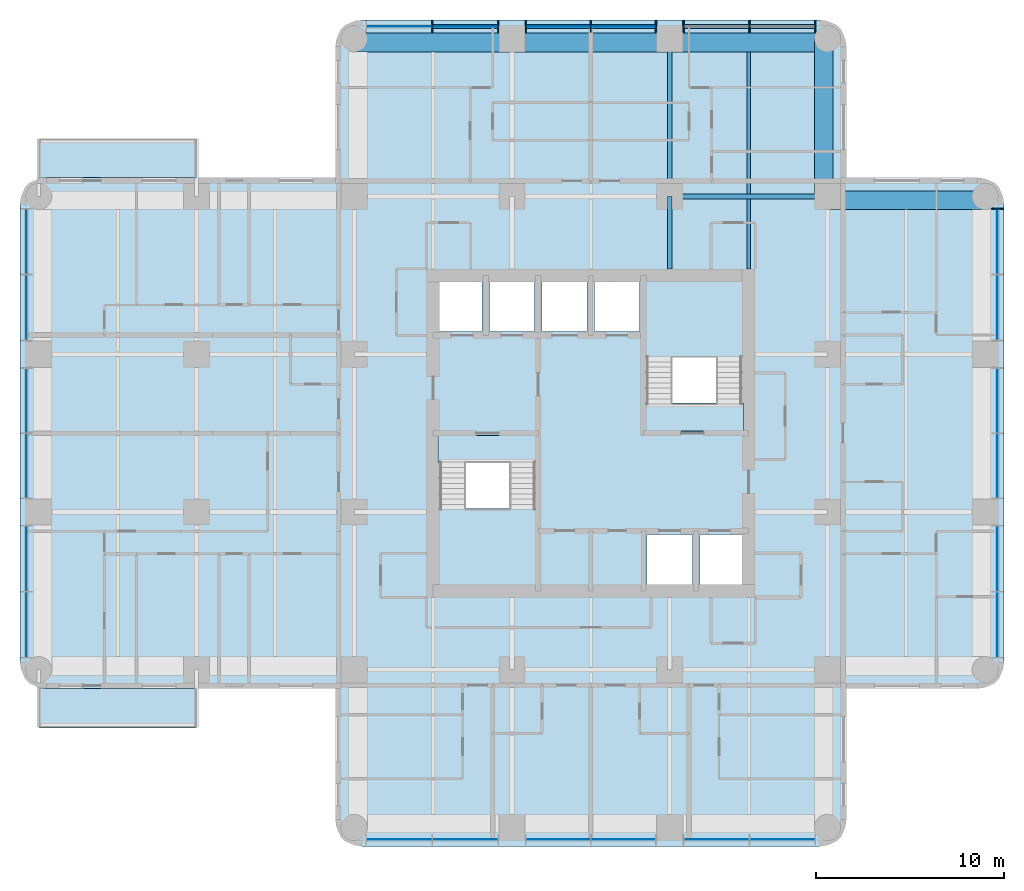
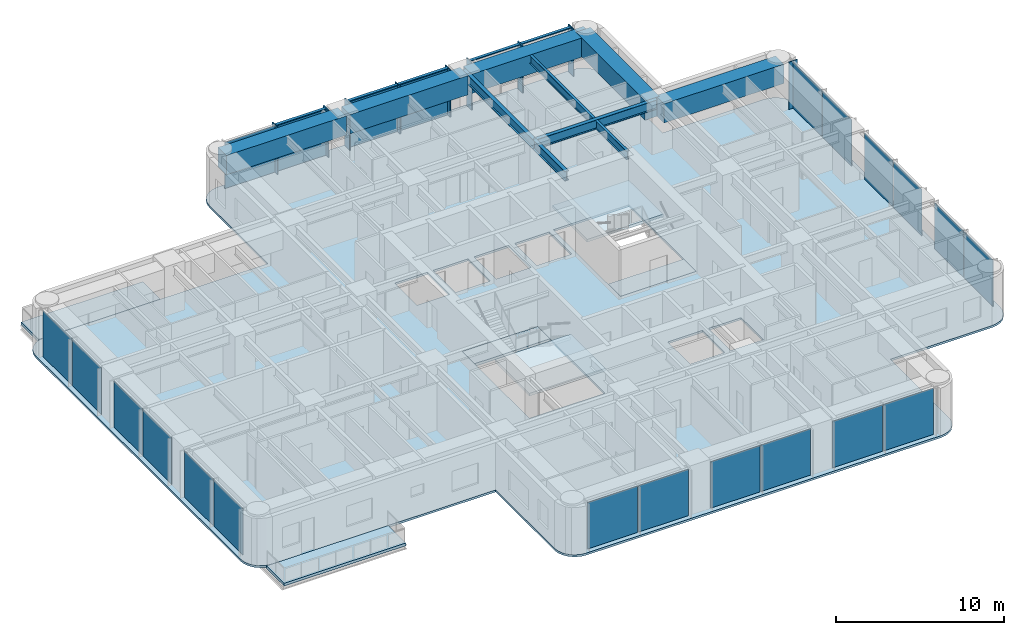
# One storey, part 3 of 11: 22 plates, 14 members, 10 beams, 7 slabs, 6 elements without a shape of their own.
"""IFC4 building model written with IfcOpenShell, lengths in metres."""

import ifcopenshell
import ifcopenshell.guid

model = None  # the IFC model being written
_history = None  # IfcOwnerHistory: only IFC2X3 demands one
_inside = {}  # id of a spatial element -> (the spatial element, [elements in it])
_under = {}  # id of a project, library or spatial element -> (it, [spatial elements below it])
_declared = {}  # id of a project -> (the project, [libraries it declares])
_typed = {}  # id of a type object -> (the type object, [elements of that type])
_made_of = {}  # id of a material, layer set ... -> (it, [elements and type objects made of it])


def new_model(schema):
    """Start an empty IFC model of exactly this schema.

    Asked for "IFC4X3", IfcOpenShell would pick the latest addendum, in which some entities
    have other attributes; the version numbers below select the first issue.
    IFC2X3 requires an IfcOwnerHistory on every rooted entity: one is made here for all.
    """
    global model, _history
    if schema == "IFC4X3":
        model = ifcopenshell.file(schema_version=(4, 3, 0, 0))
    else:
        model = ifcopenshell.file(schema=schema)
    _inside.clear()
    _under.clear()
    _declared.clear()
    _typed.clear()
    _made_of.clear()
    _history = None
    if model.schema == "IFC2X3":
        org = make("IfcOrganization", Name="unknown")
        user = make(
            "IfcPersonAndOrganization",
            ThePerson=make("IfcPerson", FamilyName="unknown"),
            TheOrganization=org,
        )
        app = make(
            "IfcApplication",
            ApplicationDeveloper=org,
            Version="unknown",
            ApplicationFullName="unknown",
            ApplicationIdentifier="unknown",
        )
        _history = make(
            "IfcOwnerHistory",
            OwningUser=user,
            OwningApplication=app,
            ChangeAction="ADDED",
            CreationDate=0,
        )
    return model


def make(cls, **values):
    """One entity of the class cls with the attributes given. An attribute that is None is left unset."""
    return model.create_entity(
        cls, **{name: value for name, value in values.items() if value is not None}
    )


def rooted(cls, **values):
    """An entity with a GlobalId (a new one), such as an element, a storey or a relation."""
    return make(cls, GlobalId=ifcopenshell.guid.new(), OwnerHistory=_history, **values)


def si_unit(unit_type, name, prefix=None):
    """IfcSIUnit, for example si_unit("LENGTHUNIT", "METRE", prefix="MILLI")."""
    return make("IfcSIUnit", UnitType=unit_type, Prefix=prefix, Name=name)


def assignment(units):
    """IfcUnitAssignment: the units of a project."""
    return None if units is None else make("IfcUnitAssignment", Units=units)


def point(xyz):
    """IfcCartesianPoint."""
    return None if xyz is None else make("IfcCartesianPoint", Coordinates=xyz)


def direction(xyz):
    """IfcDirection."""
    return None if xyz is None else make("IfcDirection", DirectionRatios=xyz)


def frame(location, z_axis=None, x_axis=None):
    """IfcAxis2Placement3D, a coordinate frame: its origin and axes. An axis left out is left unset."""
    return make(
        "IfcAxis2Placement3D",
        Location=point(location),
        Axis=direction(z_axis),
        RefDirection=direction(x_axis),
    )


def frame_2d(location, x_axis=None):
    """IfcAxis2Placement2D, a coordinate frame in the plane: its origin and x axis."""
    return make(
        "IfcAxis2Placement2D", Location=point(location), RefDirection=direction(x_axis)
    )


def origin():
    """The frame at (0, 0, 0) with its axes left unset."""
    return frame((0.0, 0.0, 0.0))


def origin_2d():
    """The frame at (0, 0) in the plane with its x axis left unset."""
    return frame_2d((0.0, 0.0))


def place(relative_to, where):
    """IfcLocalPlacement: puts the frame where relative to a parent placement (None: the world)."""
    return make(
        "IfcLocalPlacement", PlacementRelTo=relative_to, RelativePlacement=where
    )


def context(
    kind, dimensions, precision=None, world=None, true_north=None, identifier=None
):
    """IfcGeometricRepresentationContext, for example the 3D "Model" context."""
    return make(
        "IfcGeometricRepresentationContext",
        ContextIdentifier=identifier,
        ContextType=kind,
        CoordinateSpaceDimension=dimensions,
        Precision=precision,
        WorldCoordinateSystem=world,
        TrueNorth=true_north,
    )


def subcontext(parent, identifier, kind, view, scale=None):
    """IfcGeometricRepresentationSubContext, for example "Body" below "Model"."""
    return make(
        "IfcGeometricRepresentationSubContext",
        ContextIdentifier=identifier,
        ContextType=kind,
        ParentContext=parent,
        TargetScale=scale,
        TargetView=view,
    )


def project(units=None, contexts=None):
    """IfcProject with its units and contexts."""
    return rooted(
        "IfcProject",
        Name="project",
        RepresentationContexts=contexts,
        UnitsInContext=assignment(units),
    )


def spatial(cls, under=None, at=None, **own):
    """A site, building, storey or space (cls), placed at a placement, below another one or the project."""
    s = rooted(cls, ObjectPlacement=at, **own)
    if under is not None:
        _under.setdefault(under.id(), (under, []))[1].append(s)
    return s


def polyline(points):
    """IfcPolyline through the points."""
    return make("IfcPolyline", Points=[point(p) for p in points])


def profile(cls, at=None, kind="AREA", **sizes):
    """A parametric profile (cls). Its sizes go by their IFC names, for example OverallWidth=200.0."""
    return make(cls, ProfileType=kind, Position=at, **sizes)


def rectangle(**sizes):
    """IfcRectangleProfileDef."""
    return profile("IfcRectangleProfileDef", **sizes)


def i_section(**sizes):
    """IfcIShapeProfileDef."""
    return profile("IfcIShapeProfileDef", **sizes)


def outline(outer, holes=None, kind="AREA"):
    """IfcArbitraryClosedProfileDef: a profile drawn as a closed curve; with holes, ...WithVoids."""
    if holes is None:
        return make("IfcArbitraryClosedProfileDef", ProfileType=kind, OuterCurve=outer)
    return make(
        "IfcArbitraryProfileDefWithVoids",
        ProfileType=kind,
        OuterCurve=outer,
        InnerCurves=holes,
    )


def extrude(swept, where, along, depth):
    """IfcExtrudedAreaSolid: the profile swept, set in the frame where, extruded along a direction by depth."""
    return make(
        "IfcExtrudedAreaSolid",
        SweptArea=swept,
        Position=where,
        ExtrudedDirection=direction(along),
        Depth=depth,
    )


def shape(context_of_items, identifier, shape_type, items):
    """IfcShapeRepresentation: the items that make up one representation, for example the "Body"."""
    return make(
        "IfcShapeRepresentation",
        ContextOfItems=context_of_items,
        RepresentationIdentifier=identifier,
        RepresentationType=shape_type,
        Items=items,
    )


def material(Name=None, Category=None):
    """IfcMaterial."""
    return make("IfcMaterial", Name=Name, Category=Category)


def layer(
    of_material, thickness, ventilated=None, Name=None, Category=None, Priority=None
):
    """IfcMaterialLayer: one layer of a wall or slab, of a material (None: an air gap)."""
    return make(
        "IfcMaterialLayer",
        Material=of_material,
        LayerThickness=thickness,
        IsVentilated=ventilated,
        Name=Name,
        Category=Category,
        Priority=Priority,
    )


def layer_set(layers, Name=None):
    """IfcMaterialLayerSet."""
    return make("IfcMaterialLayerSet", MaterialLayers=layers, LayerSetName=Name)


def material_profile(
    of_material, cross_section, Name=None, Category=None, Priority=None
):
    """IfcMaterialProfile: a cross section and its material."""
    return make(
        "IfcMaterialProfile",
        Name=Name,
        Material=of_material,
        Profile=cross_section,
        Priority=Priority,
        Category=Category,
    )


def profile_set(profiles, Name=None, composite=None):
    """IfcMaterialProfileSet."""
    return make(
        "IfcMaterialProfileSet",
        Name=Name,
        MaterialProfiles=profiles,
        CompositeProfile=composite,
    )


def made_of(thing, what):
    """Note that an element or type object is made of a material, layer set ...; save() writes the relation."""
    if what is not None:
        _made_of.setdefault(what.id(), (what, []))[1].append(thing)
    return thing


def type_object(cls, material=None, **own):
    """A type object (cls), such as IfcWallType, which elements share."""
    return made_of(rooted(cls, **own), material)


def element(
    cls,
    number,
    at=None,
    inside=None,
    cuts=None,
    type_object=None,
    material=None,
    context=None,
    identifier="Body",
    shape_type=None,
    held_by="IfcProductDefinitionShape",
    body=None,
    shapes=None,
    **own,
):
    """One element of the class cls, such as IfcWall. Its Tag is "e" and its number.

    at: its placement. inside: the storey or other place that contains it. cuts: it is an
    opening in that element (IfcRelVoidsElement). A single representation is given by context,
    identifier, shape_type and body (its items); several are given by shapes. held_by: the class
    of the entity that holds the representations. save() writes the other relations.
    """
    e = rooted(cls, Tag="e%d" % number, ObjectPlacement=at, **own)
    if body is not None:
        shapes = [shape(context, identifier, shape_type, body)]
    if shapes is not None:
        e.Representation = make(held_by, Representations=shapes)
    if inside is not None:
        _inside.setdefault(inside.id(), (inside, []))[1].append(e)
    if cuts is not None:
        rooted(
            "IfcRelVoidsElement", RelatingBuildingElement=cuts, RelatedOpeningElement=e
        )
    if type_object is not None:
        _typed.setdefault(type_object.id(), (type_object, []))[1].append(e)
    return made_of(e, material)


def aggregate(whole, parts):
    """IfcRelAggregates: a whole, such as a stair, and the parts it consists of."""
    return rooted("IfcRelAggregates", RelatingObject=whole, RelatedObjects=parts)


def save(model, path):
    """Write the relations noted so far, then the file.

    IfcRelAggregates (storeys below a building ...), IfcRelContainedInSpatialStructure (elements
    in a storey), IfcRelDefinesByType, IfcRelAssociatesMaterial and IfcRelDeclares: one each for
    every whole, place, type object, material and project.
    """
    for whole, parts in _under.values():
        aggregate(whole, parts)
    for where, things in _inside.values():
        rooted(
            "IfcRelContainedInSpatialStructure",
            RelatedElements=things,
            RelatingStructure=where,
        )
    for kind, things in _typed.values():
        rooted("IfcRelDefinesByType", RelatedObjects=things, RelatingType=kind)
    for what, things in _made_of.values():
        rooted("IfcRelAssociatesMaterial", RelatedObjects=things, RelatingMaterial=what)
    for by, libraries in _declared.values():
        rooted("IfcRelDeclares", RelatingContext=by, RelatedDefinitions=libraries)
    model.write(path)


model = new_model("IFC4")

# Units and contexts
model_context = context("Model", 3, precision=1e-05, world=origin(), true_north=direction((0.0, 1.0)))
body_context = subcontext(model_context, "Body", "Model", "MODEL_VIEW")
ifc_project = project(units=[si_unit("LENGTHUNIT", "METRE"), si_unit("AREAUNIT", "SQUARE_METRE"), si_unit("VOLUMEUNIT", "CUBIC_METRE"), si_unit("PLANEANGLEUNIT", "RADIAN"), si_unit("MASSUNIT", "GRAM", prefix="KILO")], contexts=[model_context])

# Site, building, storey
site_placement = place(None, origin())
site = spatial("IfcSite", under=ifc_project, at=site_placement, CompositionType="ELEMENT")
building_placement = place(site_placement, origin())
building = spatial("IfcBuilding", under=site, at=building_placement, Name="Torre Alcanfor", CompositionType="ELEMENT")
storey_placement = place(building_placement, frame((0.0, 0.0, 237.300048828125)))
storey = spatial("IfcBuildingStorey", under=building, at=storey_placement, Name="L62", CompositionType="ELEMENT", Elevation=237.300048828125)

# Curtain wall, member
ifc_material_1 = material(Name="Aluminium and glass", Category="aluminium")
curtain_wall_type = type_object("IfcCurtainWallType", Name="CW-A unitised apartment glazing with vertical FIN", PredefinedType="NOTDEFINED", material=ifc_material_1)
curtain_wall_1_placement = place(storey_placement, origin())
curtain_wall_1 = element("IfcCurtainWall", 1, at=curtain_wall_1_placement, inside=storey, type_object=curtain_wall_type, Name="Curtain wall CW-A L62 8", PredefinedType="NOTDEFINED")
ifc_material_2 = material(Name="Bronze anodised aluminium", Category="aluminium")
ifc_material_profile_1 = material_profile(ifc_material_2, rectangle(XDim=0.60009765625, YDim=0.06494140625, at=origin_2d()), Name="CW-A mullion 65x600")
ifc_profile_set_1 = profile_set([ifc_material_profile_1], Name="Bronze anodised aluminium")
member_type_1 = type_object("IfcMemberType", Name="CW-A mullion with vertical FIN 65x600", PredefinedType="MULLION", material=ifc_profile_set_1)
member_1_placement = place(storey_placement, frame((51.050048828125, 41.35546875, 0.0), z_axis=(0.0, 0.0, 1.0), x_axis=(-1.0, 0.0, 0.0)))
member_1 = element("IfcMember", 2, at=member_1_placement, type_object=member_type_1, Name="CW-A mullion 3.3", PredefinedType="MULLION", context=body_context, shape_type="SweptSolid", body=[
    extrude(rectangle(XDim=0.60009765625, YDim=0.06494140625, at=origin_2d()), origin(), (0.0, 0.0, 1.0), 3.449951171875),
])

# Curtain wall, members
curtain_wall_2_placement = place(storey_placement, origin())
curtain_wall_2 = element("IfcCurtainWall", 3, at=curtain_wall_2_placement, inside=storey, type_object=curtain_wall_type, Name="Curtain wall CW-A L62 11", PredefinedType="NOTDEFINED")
member_2_placement = place(storey_placement, frame((41.35546875, 51.050048828125, 0.0), z_axis=(0.0, 0.0, 1.0), x_axis=(0.0, -1.0, 0.0)))
member_2 = element("IfcMember", 4, at=member_2_placement, type_object=member_type_1, Name="CW-A mullion 1.1", PredefinedType="MULLION", context=body_context, shape_type="SweptSolid", body=[
    extrude(rectangle(XDim=0.60009765625, YDim=0.06494140625, at=origin_2d()), origin(), (0.0, 0.0, 1.0), 3.449951171875),
])
member_3_placement = place(storey_placement, frame((37.846435546875, 51.050048828125, 0.0), z_axis=(0.0, 0.0, 1.0), x_axis=(0.0, -1.0, 0.0)))
member_3 = element("IfcMember", 5, at=member_3_placement, type_object=member_type_1, Name="CW-A mullion 1.2", PredefinedType="MULLION", context=body_context, shape_type="SweptSolid", body=[
    extrude(rectangle(XDim=0.60009765625, YDim=0.06494140625, at=origin_2d()), origin(), (0.0, 0.0, 1.0), 3.449951171875),
])
member_4_placement = place(storey_placement, frame((34.33740234375, 51.050048828125, 0.0), z_axis=(0.0, 0.0, 1.0), x_axis=(0.0, -1.0, 0.0)))
member_4 = element("IfcMember", 6, at=member_4_placement, type_object=member_type_1, Name="CW-A mullion 1.3", PredefinedType="MULLION", context=body_context, shape_type="SweptSolid", body=[
    extrude(rectangle(XDim=0.60009765625, YDim=0.06494140625, at=origin_2d()), origin(), (0.0, 0.0, 1.0), 3.449951171875),
])
member_5_placement = place(storey_placement, frame((32.862548828125, 51.050048828125, 0.0), z_axis=(0.0, 0.0, 1.0), x_axis=(0.0, -1.0, 0.0)))
member_5 = element("IfcMember", 7, at=member_5_placement, type_object=member_type_1, Name="CW-A mullion 2.1", PredefinedType="MULLION", context=body_context, shape_type="SweptSolid", body=[
    extrude(rectangle(XDim=0.60009765625, YDim=0.06494140625, at=origin_2d()), origin(), (0.0, 0.0, 1.0), 3.449951171875),
])
member_6_placement = place(storey_placement, frame((29.39990234375, 51.050048828125, 0.0), z_axis=(0.0, 0.0, 1.0), x_axis=(0.0, -1.0, 0.0)))
member_6 = element("IfcMember", 8, at=member_6_placement, type_object=member_type_1, Name="CW-A mullion 2.2", PredefinedType="MULLION", context=body_context, shape_type="SweptSolid", body=[
    extrude(rectangle(XDim=0.60009765625, YDim=0.06494140625, at=origin_2d()), origin(), (0.0, 0.0, 1.0), 3.449951171875),
])
member_7_placement = place(storey_placement, frame((25.9375, 51.050048828125, 0.0), z_axis=(0.0, 0.0, 1.0), x_axis=(0.0, -1.0, 0.0)))
member_7 = element("IfcMember", 9, at=member_7_placement, type_object=member_type_1, Name="CW-A mullion 2.3", PredefinedType="MULLION", context=body_context, shape_type="SweptSolid", body=[
    extrude(rectangle(XDim=0.60009765625, YDim=0.06494140625, at=origin_2d()), origin(), (0.0, 0.0, 1.0), 3.449951171875),
])
member_8_placement = place(storey_placement, frame((24.46240234375, 51.050048828125, 0.0), z_axis=(0.0, 0.0, 1.0), x_axis=(0.0, -1.0, 0.0)))
member_8 = element("IfcMember", 10, at=member_8_placement, type_object=member_type_1, Name="CW-A mullion 3.1", PredefinedType="MULLION", context=body_context, shape_type="SweptSolid", body=[
    extrude(rectangle(XDim=0.60009765625, YDim=0.06494140625, at=origin_2d()), origin(), (0.0, 0.0, 1.0), 3.449951171875),
])
member_9_placement = place(storey_placement, frame((20.95361328125, 51.050048828125, 0.0), z_axis=(0.0, 0.0, 1.0), x_axis=(0.0, -1.0, 0.0)))
member_9 = element("IfcMember", 11, at=member_9_placement, type_object=member_type_1, Name="CW-A mullion 3.2", PredefinedType="MULLION", context=body_context, shape_type="SweptSolid", body=[
    extrude(rectangle(XDim=0.60009765625, YDim=0.06494140625, at=origin_2d()), origin(), (0.0, 0.0, 1.0), 3.449951171875),
])
ifc_material_3 = material(Name="Extruded aluminium", Category="aluminium")
ifc_material_profile_2 = material_profile(ifc_material_3, rectangle(XDim=0.199951171875, YDim=0.06494140625, at=origin_2d()), Name="CW-A transom 200x65")
ifc_profile_set_2 = profile_set([ifc_material_profile_2], Name="Extruded aluminium")
member_type_2 = type_object("IfcMemberType", Name="CW-A transom 65x200", PredefinedType="USERDEFINED", material=ifc_profile_set_2)
member_10_placement = place(storey_placement, frame((41.322998046875, 51.050048828125, 3.41748046875), z_axis=(-1.0, 0.0, 0.0), x_axis=(0.0, -1.0, 0.0)))
member_10 = element("IfcMember", 12, at=member_10_placement, type_object=member_type_2, Name="CW-A transom 1.1.2", ObjectType="TRANSOM", PredefinedType="USERDEFINED", context=body_context, shape_type="SweptSolid", body=[
    extrude(rectangle(XDim=0.199951171875, YDim=0.06494140625, at=origin_2d()), origin(), (0.0, 0.0, 1.0), 3.444091796875),
])
member_11_placement = place(storey_placement, frame((37.81396484375, 51.050048828125, 3.41748046875), z_axis=(-1.0, 0.0, 0.0), x_axis=(0.0, -1.0, 0.0)))
member_11 = element("IfcMember", 13, at=member_11_placement, type_object=member_type_2, Name="CW-A transom 1.2.2", ObjectType="TRANSOM", PredefinedType="USERDEFINED", context=body_context, shape_type="SweptSolid", body=[
    extrude(rectangle(XDim=0.199951171875, YDim=0.06494140625, at=origin_2d()), origin(), (0.0, 0.0, 1.0), 3.44384765625),
])
member_12_placement = place(storey_placement, frame((32.830078125, 51.050048828125, 3.41748046875), z_axis=(-1.0, 0.0, 0.0), x_axis=(0.0, -1.0, 0.0)))
member_12 = element("IfcMember", 14, at=member_12_placement, type_object=member_type_2, Name="CW-A transom 2.1.2", ObjectType="TRANSOM", PredefinedType="USERDEFINED", context=body_context, shape_type="SweptSolid", body=[
    extrude(rectangle(XDim=0.199951171875, YDim=0.06494140625, at=origin_2d()), origin(), (0.0, 0.0, 1.0), 3.3974609375),
])
member_13_placement = place(storey_placement, frame((29.367431640625, 51.050048828125, 3.41748046875), z_axis=(-1.0, 0.0, 0.0), x_axis=(0.0, -1.0, 0.0)))
member_13 = element("IfcMember", 15, at=member_13_placement, type_object=member_type_2, Name="CW-A transom 2.2.2", ObjectType="TRANSOM", PredefinedType="USERDEFINED", context=body_context, shape_type="SweptSolid", body=[
    extrude(rectangle(XDim=0.199951171875, YDim=0.06494140625, at=origin_2d()), origin(), (0.0, 0.0, 1.0), 3.3974609375),
])
member_14_placement = place(storey_placement, frame((24.429931640625, 51.050048828125, 3.41748046875), z_axis=(-1.0, 0.0, 0.0), x_axis=(0.0, -1.0, 0.0)))
member_14 = element("IfcMember", 16, at=member_14_placement, type_object=member_type_2, Name="CW-A transom 3.1.2", ObjectType="TRANSOM", PredefinedType="USERDEFINED", context=body_context, shape_type="SweptSolid", body=[
    extrude(rectangle(XDim=0.199951171875, YDim=0.06494140625, at=origin_2d()), origin(), (0.0, 0.0, 1.0), 3.44384765625),
])

# Beams
ifc_material_4 = material(Name="Steel ASTM A992 Grade 50", Category="steel")
ifc_material_profile_3 = material_profile(ifc_material_4, i_section(OverallWidth=0.25390625, OverallDepth=0.683349609375, WebThickness=0.012451171875, FlangeThickness=0.01904296875, at=origin_2d()), Name="W27x94")
ifc_profile_set_3 = profile_set([ifc_material_profile_3], Name="Steel ASTM A992 Grade 50")
beam_type_1 = type_object("IfcBeamType", Name="Girder W27x94", PredefinedType="BEAM", material=ifc_profile_set_3)
for number, where, z_axis, x_axis, name in (
    (17, (33.60009765625, 42.0, 3.1083984375), (1.0, 0.0, 0.0), (0.0, 1.0, 0.0), "Beam 5H-6H under L63"),
    (18, (33.60009765625, 42.0, 3.1083984375), (0.0, 1.0, 0.0), (-1.0, 0.0, 0.0), "Beam 5H-5J under L63"),
):
    element("IfcBeam", number, at=place(storey_placement, frame(where, z_axis=z_axis, x_axis=x_axis)), inside=storey, type_object=beam_type_1, Name=name, PredefinedType="BEAM", context=body_context, shape_type="SweptSolid", body=[
        extrude(i_section(OverallWidth=0.25390625, OverallDepth=0.683349609375, WebThickness=0.012451171875, FlangeThickness=0.01904296875, at=origin_2d()), origin(), (0.0, 0.0, 1.0), 8.39990234375),
    ])
ifc_material_5 = material(Name="Steel ASTM A992 Grade 50", Category="steel")
ifc_material_profile_4 = material_profile(ifc_material_5, i_section(OverallWidth=0.25390625, OverallDepth=0.683349609375, WebThickness=0.012451171875, FlangeThickness=0.01904296875, at=origin_2d()), Name="W27x94")
ifc_profile_set_4 = profile_set([ifc_material_profile_4], Name="Steel ASTM A992 Grade 50")
beam_type_2 = type_object("IfcBeamType", Name="Girder, part bay W27x94", PredefinedType="BEAM", material=ifc_profile_set_4)
beam_1_placement = place(storey_placement, frame((33.60009765625, 42.0, 3.1083984375), z_axis=(0.0, -1.0, 0.0), x_axis=(1.0, 0.0, 0.0)))
element("IfcBeam", 19, at=beam_1_placement, inside=storey, type_object=beam_type_2, Name="Beam 5H-538_15 under L63", PredefinedType="BEAM", context=body_context, shape_type="SweptSolid", body=[
    extrude(i_section(OverallWidth=0.25390625, OverallDepth=0.683349609375, WebThickness=0.012451171875, FlangeThickness=0.01904296875, at=origin_2d()), origin(), (0.0, 0.0, 1.0), 3.85009765625),
])
ifc_material_6 = material(Name="Concrete f'c 70 MPa", Category="concrete")
ifc_material_profile_5 = material_profile(ifc_material_6, rectangle(XDim=1.0, YDim=1.39990234375, at=origin_2d()), Name="1000x1400")
ifc_profile_set_5 = profile_set([ifc_material_profile_5], Name="Concrete f'c 70 MPa")
beam_type_3 = type_object("IfcBeamType", Name="RC perimeter beam 1000x1400", PredefinedType="BEAM", material=ifc_profile_set_5)
for number, where, z_axis, x_axis, name in (
    (20, (42.126953125, 41.800048828125, 2.75), (1.0, 0.0, 0.0), (0.0, 1.0, 0.0), "Beam 6H-7H under L63"),
    (21, (16.800048828125, 50.199951171875, 2.75), (1.0, 0.0, 0.0), (0.0, 1.0, 0.0), "Beam 3J-4J under L63"),
):
    element("IfcBeam", number, at=place(storey_placement, frame(where, z_axis=z_axis, x_axis=x_axis)), inside=storey, type_object=beam_type_3, Name=name, PredefinedType="BEAM", context=body_context, shape_type="SweptSolid", body=[
        extrude(rectangle(XDim=1.0, YDim=1.39990234375, at=origin_2d()), origin(), (0.0, 0.0, 1.0), 8.27294921875),
    ])
beam_2_placement = place(storey_placement, frame((25.326904296875, 50.199951171875, 2.75), z_axis=(1.0, 0.0, 0.0), x_axis=(0.0, 1.0, 0.0)))
element("IfcBeam", 22, at=beam_2_placement, inside=storey, type_object=beam_type_3, Name="Beam 4J-5J under L63", PredefinedType="BEAM", context=body_context, shape_type="SweptSolid", body=[
    extrude(rectangle(XDim=1.0, YDim=1.39990234375, at=origin_2d()), origin(), (0.0, 0.0, 1.0), 8.14599609375),
])
for number, where, z_axis, x_axis, name in (
    (23, (33.72705078125, 50.199951171875, 2.75), (1.0, 0.0, 0.0), (0.0, 1.0, 0.0), "Beam 5J-6J under L63"),
    (24, (41.800048828125, 42.126953125, 2.75), (0.0, 1.0, 0.0), (-1.0, 0.0, 0.0), "Beam 6H-6J under L63"),
):
    element("IfcBeam", number, at=place(storey_placement, frame(where, z_axis=z_axis, x_axis=x_axis)), inside=storey, type_object=beam_type_3, Name=name, PredefinedType="BEAM", context=body_context, shape_type="SweptSolid", body=[
        extrude(rectangle(XDim=1.0, YDim=1.39990234375, at=origin_2d()), origin(), (0.0, 0.0, 1.0), 8.27294921875),
    ])
ifc_material_7 = material(Name="Steel ASTM A992 Grade 50", Category="steel")
ifc_material_profile_6 = material_profile(ifc_material_7, i_section(OverallWidth=0.1787109375, OverallDepth=0.60205078125, WebThickness=0.010986328125, FlangeThickness=0.014892578125, at=origin_2d()), Name="W24x62")
ifc_profile_set_6 = profile_set([ifc_material_profile_6], Name="Steel ASTM A992 Grade 50")
beam_type_4 = type_object("IfcBeamType", Name="Secondary beam W24x62", PredefinedType="BEAM", material=ifc_profile_set_6)
beam_3_placement = place(storey_placement, frame((37.800048828125, 42.126953125, 3.14892578125), z_axis=(0.0, 1.0, 0.0), x_axis=(-1.0, 0.0, 0.0)))
element("IfcBeam", 25, at=beam_3_placement, inside=storey, type_object=beam_type_4, Name="Beam 37_8H-37_8J under L63", PredefinedType="BEAM", context=body_context, shape_type="SweptSolid", body=[
    extrude(i_section(OverallWidth=0.1787109375, OverallDepth=0.60205078125, WebThickness=0.010986328125, FlangeThickness=0.014892578125, at=origin_2d()), origin(), (0.0, 0.0, 1.0), 7.572998046875),
])
ifc_material_8 = material(Name="Steel ASTM A992 Grade 50", Category="steel")
ifc_material_profile_7 = material_profile(ifc_material_8, i_section(OverallWidth=0.1787109375, OverallDepth=0.60205078125, WebThickness=0.010986328125, FlangeThickness=0.014892578125, at=origin_2d()), Name="W24x62")
ifc_profile_set_7 = profile_set([ifc_material_profile_7], Name="Steel ASTM A992 Grade 50")
beam_type_5 = type_object("IfcBeamType", Name="Secondary beam, part bay W24x62", PredefinedType="BEAM", material=ifc_profile_set_7)
beam_4_placement = place(storey_placement, frame((37.800048828125, 38.14990234375, 3.14892578125), z_axis=(0.0, 1.0, 0.0), x_axis=(-1.0, 0.0, 0.0)))
element("IfcBeam", 26, at=beam_4_placement, inside=storey, type_object=beam_type_5, Name="Beam 37_838_15-37_8H under L63", PredefinedType="BEAM", context=body_context, shape_type="SweptSolid", body=[
    extrude(i_section(OverallWidth=0.1787109375, OverallDepth=0.60205078125, WebThickness=0.010986328125, FlangeThickness=0.014892578125, at=origin_2d()), origin(), (0.0, 0.0, 1.0), 3.72314453125),
])

# Slabs
ifc_material_9 = material(Name="Concrete f'c 35 MPa", Category="concrete")
ifc_layer_1 = layer(ifc_material_9, 0.199951171875)
ifc_layer_set_1 = layer_set([ifc_layer_1], Name="Balcony slab 200")
slab_type_1 = type_object("IfcSlabType", Name="Balcony slab 200", PredefinedType="FLOOR", material=ifc_layer_set_1)
slab_1_placement = place(storey_placement, frame((0.0, 0.0, -0.199951171875)))
element("IfcSlab", 27, at=slab_1_placement, inside=storey, type_object=slab_type_1, Name="Balcony L62-W1", PredefinedType="FLOOR", context=body_context, shape_type="SweptSolid", body=[
    extrude(outline(polyline([(8.39990234375, 15.800048828125), (0.0, 15.800048828125), (0.0, 13.699951171875), (8.39990234375, 13.699951171875), (8.39990234375, 15.800048828125)])), origin(), (0.0, 0.0, 1.0), 0.199951171875),
])
slab_2_placement = place(storey_placement, frame((0.0, 0.0, -0.199951171875)))
element("IfcSlab", 28, at=slab_2_placement, inside=storey, type_object=slab_type_1, Name="Balcony L62-W2", PredefinedType="FLOOR", context=body_context, shape_type="SweptSolid", body=[
    extrude(outline(polyline([(8.39990234375, 45.10009765625), (0.0, 45.10009765625), (0.0, 43.0), (8.39990234375, 43.0), (8.39990234375, 45.10009765625)])), origin(), (0.0, 0.0, 1.0), 0.199951171875),
])

# Curtain wall, plates
curtain_wall_3_placement = place(storey_placement, origin())
curtain_wall_3 = element("IfcCurtainWall", 29, at=curtain_wall_3_placement, inside=storey, type_object=curtain_wall_type, Name="Curtain wall CW-A L62 2", PredefinedType="NOTDEFINED")
ifc_material_10 = material(Name="Glass", Category="glass")
ifc_layer_2 = layer(ifc_material_10, 0.028076171875)
ifc_layer_set_2 = layer_set([ifc_layer_2], Name="CW-A clear double glazed unit")
plate_type = type_object("IfcPlateType", Name="CW-A clear double glazed unit", PredefinedType="CURTAIN_PANEL", material=ifc_layer_set_2)
plate_1_placement = place(storey_placement, frame((-0.64990234375, 39.60107421875, 0.0), z_axis=(0.0, 0.0, 1.0), x_axis=(0.0, -1.0, 0.0)))
plate_1 = element("IfcPlate", 30, at=plate_1_placement, type_object=plate_type, Name="CW-A panel 1.1.1", PredefinedType="CURTAIN_PANEL", context=body_context, shape_type="SweptSolid", body=[
    extrude(rectangle(XDim=3.444091796875, YDim=0.028076171875, at=origin_2d()), origin(), (0.0, 0.0, 1.0), 3.385009765625),
])
plate_2_placement = place(storey_placement, frame((-0.64990234375, 36.092041015625, 0.0), z_axis=(0.0, 0.0, 1.0), x_axis=(0.0, -1.0, 0.0)))
plate_2 = element("IfcPlate", 31, at=plate_2_placement, type_object=plate_type, Name="CW-A panel 1.2.1", PredefinedType="CURTAIN_PANEL", context=body_context, shape_type="SweptSolid", body=[
    extrude(rectangle(XDim=3.444091796875, YDim=0.028076171875, at=origin_2d()), origin(), (0.0, 0.0, 1.0), 3.385009765625),
])
plate_3_placement = place(storey_placement, frame((-0.64990234375, 31.13134765625, 0.0), z_axis=(0.0, 0.0, 1.0), x_axis=(0.0, -1.0, 0.0)))
plate_3 = element("IfcPlate", 32, at=plate_3_placement, type_object=plate_type, Name="CW-A panel 2.1.1", PredefinedType="CURTAIN_PANEL", context=body_context, shape_type="SweptSolid", body=[
    extrude(rectangle(XDim=3.3974609375, YDim=0.028076171875, at=origin_2d()), origin(), (0.0, 0.0, 1.0), 3.385009765625),
])
plate_4_placement = place(storey_placement, frame((-0.64990234375, 27.668701171875, 0.0), z_axis=(0.0, 0.0, 1.0), x_axis=(0.0, -1.0, 0.0)))
plate_4 = element("IfcPlate", 33, at=plate_4_placement, type_object=plate_type, Name="CW-A panel 2.2.1", PredefinedType="CURTAIN_PANEL", context=body_context, shape_type="SweptSolid", body=[
    extrude(rectangle(XDim=3.3974609375, YDim=0.028076171875, at=origin_2d()), origin(), (0.0, 0.0, 1.0), 3.385009765625),
])
plate_5_placement = place(storey_placement, frame((-0.64990234375, 22.7080078125, 0.0), z_axis=(0.0, 0.0, 1.0), x_axis=(0.0, -1.0, 0.0)))
plate_5 = element("IfcPlate", 34, at=plate_5_placement, type_object=plate_type, Name="CW-A panel 3.1.1", PredefinedType="CURTAIN_PANEL", context=body_context, shape_type="SweptSolid", body=[
    extrude(rectangle(XDim=3.444091796875, YDim=0.028076171875, at=origin_2d()), origin(), (0.0, 0.0, 1.0), 3.385009765625),
])
plate_6_placement = place(storey_placement, frame((-0.64990234375, 19.198974609375, 0.0), z_axis=(0.0, 0.0, 1.0), x_axis=(0.0, -1.0, 0.0)))
plate_6 = element("IfcPlate", 35, at=plate_6_placement, type_object=plate_type, Name="CW-A panel 3.2.1", PredefinedType="CURTAIN_PANEL", context=body_context, shape_type="SweptSolid", body=[
    extrude(rectangle(XDim=3.444091796875, YDim=0.028076171875, at=origin_2d()), origin(), (0.0, 0.0, 1.0), 3.385009765625),
])
aggregate(curtain_wall_3, [plate_1, plate_2, plate_3, plate_4, plate_5, plate_6])

curtain_wall_4_placement = place(storey_placement, origin())
curtain_wall_4 = element("IfcCurtainWall", 36, at=curtain_wall_4_placement, inside=storey, type_object=curtain_wall_type, Name="Curtain wall CW-A L62 5", PredefinedType="NOTDEFINED")
plate_7_placement = place(storey_placement, frame((19.198974609375, 7.75, 0.0), z_axis=(0.0, 0.0, 1.0), x_axis=(1.0, 0.0, 0.0)))
plate_7 = element("IfcPlate", 37, at=plate_7_placement, type_object=plate_type, Name="CW-A panel 1.1.1", PredefinedType="CURTAIN_PANEL", context=body_context, shape_type="SweptSolid", body=[
    extrude(rectangle(XDim=3.444091796875, YDim=0.028076171875, at=origin_2d()), origin(), (0.0, 0.0, 1.0), 3.385009765625),
])
plate_8_placement = place(storey_placement, frame((22.7080078125, 7.75, 0.0), z_axis=(0.0, 0.0, 1.0), x_axis=(1.0, 0.0, 0.0)))
plate_8 = element("IfcPlate", 38, at=plate_8_placement, type_object=plate_type, Name="CW-A panel 1.2.1", PredefinedType="CURTAIN_PANEL", context=body_context, shape_type="SweptSolid", body=[
    extrude(rectangle(XDim=3.444091796875, YDim=0.028076171875, at=origin_2d()), origin(), (0.0, 0.0, 1.0), 3.385009765625),
])
plate_9_placement = place(storey_placement, frame((27.668701171875, 7.75, 0.0), z_axis=(0.0, 0.0, 1.0), x_axis=(1.0, 0.0, 0.0)))
plate_9 = element("IfcPlate", 39, at=plate_9_placement, type_object=plate_type, Name="CW-A panel 2.1.1", PredefinedType="CURTAIN_PANEL", context=body_context, shape_type="SweptSolid", body=[
    extrude(rectangle(XDim=3.3974609375, YDim=0.028076171875, at=origin_2d()), origin(), (0.0, 0.0, 1.0), 3.385009765625),
])
plate_10_placement = place(storey_placement, frame((31.13134765625, 7.75, 0.0), z_axis=(0.0, 0.0, 1.0), x_axis=(1.0, 0.0, 0.0)))
plate_10 = element("IfcPlate", 40, at=plate_10_placement, type_object=plate_type, Name="CW-A panel 2.2.1", PredefinedType="CURTAIN_PANEL", context=body_context, shape_type="SweptSolid", body=[
    extrude(rectangle(XDim=3.3974609375, YDim=0.028076171875, at=origin_2d()), origin(), (0.0, 0.0, 1.0), 3.385009765625),
])
plate_11_placement = place(storey_placement, frame((36.092041015625, 7.75, 0.0), z_axis=(0.0, 0.0, 1.0), x_axis=(1.0, 0.0, 0.0)))
plate_11 = element("IfcPlate", 41, at=plate_11_placement, type_object=plate_type, Name="CW-A panel 3.1.1", PredefinedType="CURTAIN_PANEL", context=body_context, shape_type="SweptSolid", body=[
    extrude(rectangle(XDim=3.444091796875, YDim=0.028076171875, at=origin_2d()), origin(), (0.0, 0.0, 1.0), 3.385009765625),
])
plate_12_placement = place(storey_placement, frame((39.60107421875, 7.75, 0.0), z_axis=(0.0, 0.0, 1.0), x_axis=(1.0, 0.0, 0.0)))
plate_12 = element("IfcPlate", 42, at=plate_12_placement, type_object=plate_type, Name="CW-A panel 3.2.1", PredefinedType="CURTAIN_PANEL", context=body_context, shape_type="SweptSolid", body=[
    extrude(rectangle(XDim=3.444091796875, YDim=0.028076171875, at=origin_2d()), origin(), (0.0, 0.0, 1.0), 3.385009765625),
])
aggregate(curtain_wall_4, [plate_7, plate_8, plate_9, plate_10, plate_11, plate_12])

# Plate
plate_13_placement = place(storey_placement, frame((51.050048828125, 19.198974609375, 0.0), z_axis=(0.0, 0.0, 1.0), x_axis=(0.0, 1.0, 0.0)))
plate_13 = element("IfcPlate", 43, at=plate_13_placement, type_object=plate_type, Name="CW-A panel 1.1.1", PredefinedType="CURTAIN_PANEL", context=body_context, shape_type="SweptSolid", body=[
    extrude(rectangle(XDim=3.444091796875, YDim=0.028076171875, at=origin_2d()), origin(), (0.0, 0.0, 1.0), 3.385009765625),
])

plate_14_placement = place(storey_placement, frame((51.050048828125, 22.7080078125, 0.0), z_axis=(0.0, 0.0, 1.0), x_axis=(0.0, 1.0, 0.0)))
plate_14 = element("IfcPlate", 44, at=plate_14_placement, type_object=plate_type, Name="CW-A panel 1.2.1", PredefinedType="CURTAIN_PANEL", context=body_context, shape_type="SweptSolid", body=[
    extrude(rectangle(XDim=3.444091796875, YDim=0.028076171875, at=origin_2d()), origin(), (0.0, 0.0, 1.0), 3.385009765625),
])

plate_15_placement = place(storey_placement, frame((51.050048828125, 27.668701171875, 0.0), z_axis=(0.0, 0.0, 1.0), x_axis=(0.0, 1.0, 0.0)))
plate_15 = element("IfcPlate", 45, at=plate_15_placement, type_object=plate_type, Name="CW-A panel 2.1.1", PredefinedType="CURTAIN_PANEL", context=body_context, shape_type="SweptSolid", body=[
    extrude(rectangle(XDim=3.3974609375, YDim=0.028076171875, at=origin_2d()), origin(), (0.0, 0.0, 1.0), 3.385009765625),
])

plate_16_placement = place(storey_placement, frame((51.050048828125, 31.13134765625, 0.0), z_axis=(0.0, 0.0, 1.0), x_axis=(0.0, 1.0, 0.0)))
plate_16 = element("IfcPlate", 46, at=plate_16_placement, type_object=plate_type, Name="CW-A panel 2.2.1", PredefinedType="CURTAIN_PANEL", context=body_context, shape_type="SweptSolid", body=[
    extrude(rectangle(XDim=3.3974609375, YDim=0.028076171875, at=origin_2d()), origin(), (0.0, 0.0, 1.0), 3.385009765625),
])

plate_17_placement = place(storey_placement, frame((51.050048828125, 36.092041015625, 0.0), z_axis=(0.0, 0.0, 1.0), x_axis=(0.0, 1.0, 0.0)))
plate_17 = element("IfcPlate", 47, at=plate_17_placement, type_object=plate_type, Name="CW-A panel 3.1.1", PredefinedType="CURTAIN_PANEL", context=body_context, shape_type="SweptSolid", body=[
    extrude(rectangle(XDim=3.444091796875, YDim=0.028076171875, at=origin_2d()), origin(), (0.0, 0.0, 1.0), 3.385009765625),
])

plate_18_placement = place(storey_placement, frame((51.050048828125, 39.60107421875, 0.0), z_axis=(0.0, 0.0, 1.0), x_axis=(0.0, 1.0, 0.0)))
plate_18 = element("IfcPlate", 48, at=plate_18_placement, type_object=plate_type, Name="CW-A panel 3.2.1", PredefinedType="CURTAIN_PANEL", context=body_context, shape_type="SweptSolid", body=[
    extrude(rectangle(XDim=3.444091796875, YDim=0.028076171875, at=origin_2d()), origin(), (0.0, 0.0, 1.0), 3.385009765625),
])

aggregate(curtain_wall_1, [plate_13, plate_14, plate_15, plate_16, member_1, plate_17, plate_18])

plate_19_placement = place(storey_placement, frame((31.13134765625, 51.050048828125, 0.0), z_axis=(0.0, 0.0, 1.0), x_axis=(-1.0, 0.0, 0.0)))
plate_19 = element("IfcPlate", 49, at=plate_19_placement, type_object=plate_type, Name="CW-A panel 2.1.1", PredefinedType="CURTAIN_PANEL", context=body_context, shape_type="SweptSolid", body=[
    extrude(rectangle(XDim=3.3974609375, YDim=0.028076171875, at=origin_2d()), origin(), (0.0, 0.0, 1.0), 3.385009765625),
])

plate_20_placement = place(storey_placement, frame((27.668701171875, 51.050048828125, 0.0), z_axis=(0.0, 0.0, 1.0), x_axis=(-1.0, 0.0, 0.0)))
plate_20 = element("IfcPlate", 50, at=plate_20_placement, type_object=plate_type, Name="CW-A panel 2.2.1", PredefinedType="CURTAIN_PANEL", context=body_context, shape_type="SweptSolid", body=[
    extrude(rectangle(XDim=3.3974609375, YDim=0.028076171875, at=origin_2d()), origin(), (0.0, 0.0, 1.0), 3.385009765625),
])

plate_21_placement = place(storey_placement, frame((22.7080078125, 51.050048828125, 0.0), z_axis=(0.0, 0.0, 1.0), x_axis=(-1.0, 0.0, 0.0)))
plate_21 = element("IfcPlate", 51, at=plate_21_placement, type_object=plate_type, Name="CW-A panel 3.1.1", PredefinedType="CURTAIN_PANEL", context=body_context, shape_type="SweptSolid", body=[
    extrude(rectangle(XDim=3.444091796875, YDim=0.028076171875, at=origin_2d()), origin(), (0.0, 0.0, 1.0), 3.385009765625),
])

plate_22_placement = place(storey_placement, frame((19.198974609375, 51.050048828125, 0.0), z_axis=(0.0, 0.0, 1.0), x_axis=(-1.0, 0.0, 0.0)))
plate_22 = element("IfcPlate", 52, at=plate_22_placement, type_object=plate_type, Name="CW-A panel 3.2.1", PredefinedType="CURTAIN_PANEL", context=body_context, shape_type="SweptSolid", body=[
    extrude(rectangle(XDim=3.444091796875, YDim=0.028076171875, at=origin_2d()), origin(), (0.0, 0.0, 1.0), 3.385009765625),
])

aggregate(curtain_wall_2, [member_2, member_3, member_4, member_10, member_11, member_5, member_6, member_7, member_12, plate_19, member_13, plate_20, member_8, member_9, member_14, plate_21, plate_22])

# Slab
ifc_material_11 = material(Name="Concrete f'c 35 MPa", Category="concrete")
ifc_layer_3 = layer(ifc_material_11, 0.14990234375)
ifc_layer_set_3 = layer_set([ifc_layer_3], Name="Composite floor 150 on metal deck")
slab_type_2 = type_object("IfcSlabType", Name="Composite floor 150 on metal deck", PredefinedType="FLOOR", material=ifc_layer_set_3)
slab_3_placement = place(storey_placement, frame((0.0, 0.0, -0.150146484375)))
element("IfcSlab", 53, at=slab_3_placement, inside=storey, type_object=slab_type_2, Name="Floor slab L62", PredefinedType="FLOOR", context=body_context, shape_type="SweptSolid", body=[
    extrude(outline(polyline([(15.800048828125, 43.0), (0.39990234375, 43.0), (0.03759765625, 42.952392578125), (-0.300048828125, 42.8125), (-0.58984375, 42.58984375), (-0.8125, 42.300048828125), (-0.952392578125, 41.96240234375), (-1.0, 41.60009765625), (-1.0, 17.199951171875), (-0.952392578125, 16.837646484375), (-0.8125, 16.5), (-0.58984375, 16.210205078125), (-0.300048828125, 15.987548828125), (0.03759765625, 15.84765625), (0.39990234375, 15.800048828125), (15.800048828125, 15.800048828125), (15.800048828125, 8.800048828125), (15.84765625, 8.437744140625), (15.987548828125, 8.10009765625), (16.210205078125, 7.81005859375), (16.5, 7.587646484375), (16.837646484375, 7.44775390625), (17.199951171875, 7.39990234375), (41.60009765625, 7.39990234375), (41.96240234375, 7.44775390625), (42.300048828125, 7.587646484375), (42.58984375, 7.81005859375), (42.8125, 8.10009765625), (42.952392578125, 8.437744140625), (43.0, 8.800048828125), (43.0, 15.800048828125), (50.0, 15.800048828125), (50.3623046875, 15.84765625), (50.699951171875, 15.987548828125), (50.989990234375, 16.210205078125), (51.21240234375, 16.5), (51.352294921875, 16.837646484375), (51.39990234375, 17.199951171875), (51.39990234375, 41.60009765625), (51.352294921875, 41.96240234375), (51.21240234375, 42.300048828125), (50.989990234375, 42.58984375), (50.699951171875, 42.8125), (50.3623046875, 42.952392578125), (50.0, 43.0), (43.0, 43.0), (43.0, 50.0), (42.952392578125, 50.3623046875), (42.8125, 50.699951171875), (42.58984375, 50.989990234375), (42.300048828125, 51.21240234375), (41.96240234375, 51.352294921875), (41.60009765625, 51.39990234375), (17.199951171875, 51.39990234375), (16.837646484375, 51.352294921875), (16.5, 51.21240234375), (16.210205078125, 50.989990234375), (15.987548828125, 50.699951171875), (15.84765625, 50.3623046875), (15.800048828125, 50.0), (15.800048828125, 43.0)]), holes=[polyline([(21.27001953125, 21.27001953125), (26.47998046875, 21.27001953125), (26.47998046875, 29.280029296875), (21.27001953125, 29.280029296875), (21.27001953125, 21.27001953125)]), polyline([(32.320068359375, 29.52001953125), (37.530029296875, 29.52001953125), (37.530029296875, 37.530029296875), (32.320068359375, 37.530029296875), (32.320068359375, 29.52001953125)]), polyline([(32.39990234375, 21.35009765625), (34.800048828125, 21.35009765625), (34.800048828125, 24.0), (32.39990234375, 24.0), (32.39990234375, 21.35009765625)]), polyline([(35.199951171875, 21.35009765625), (37.449951171875, 21.35009765625), (37.449951171875, 24.0), (35.199951171875, 24.0), (35.199951171875, 21.35009765625)]), polyline([(21.35009765625, 34.800048828125), (23.60009765625, 34.800048828125), (23.60009765625, 37.449951171875), (21.35009765625, 37.449951171875), (21.35009765625, 34.800048828125)]), polyline([(24.0, 34.800048828125), (26.39990234375, 34.800048828125), (26.39990234375, 37.449951171875), (24.0, 37.449951171875), (24.0, 34.800048828125)]), polyline([(26.800048828125, 34.800048828125), (29.199951171875, 34.800048828125), (29.199951171875, 37.449951171875), (26.800048828125, 37.449951171875), (26.800048828125, 34.800048828125)]), polyline([(29.60009765625, 34.800048828125), (32.0, 34.800048828125), (32.0, 37.449951171875), (29.60009765625, 37.449951171875), (29.60009765625, 34.800048828125)])]), origin(), (0.0, 0.0, 1.0), 0.150146484375),
])

# Stair, slabs
ifc_material_12 = material(Name="Concrete f'c 35 MPa", Category="concrete")
stair_type_1 = type_object("IfcStairType", Name="Exit stair S1 1400 wide", PredefinedType="HALF_TURN_STAIR", material=ifc_material_12)
stair_1_placement = place(storey_placement, origin())
stair_1 = element("IfcStair", 54, at=stair_1_placement, inside=storey, type_object=stair_type_1, Name="Stair S1 L62 to L63", PredefinedType="HALF_TURN_STAIR")
ifc_material_13 = material(Name="Concrete f'c 35 MPa", Category="concrete")
ifc_layer_4 = layer(ifc_material_13, 0.199951171875)
ifc_layer_set_4 = layer_set([ifc_layer_4], Name="Stair landing 200")
slab_type_3 = type_object("IfcSlabType", Name="Stair landing 200", PredefinedType="LANDING", material=ifc_layer_set_4)
slab_4_placement = place(storey_placement, frame((0.0, 0.0, -0.199951171875)))
slab_4 = element("IfcSlab", 55, at=slab_4_placement, type_object=slab_type_3, Name="S1 landing 1", PredefinedType="LANDING", context=body_context, shape_type="SweptSolid", body=[
    extrude(outline(polyline([(21.27001953125, 27.800048828125), (26.47998046875, 27.800048828125), (26.47998046875, 29.280029296875), (21.27001953125, 29.280029296875), (21.27001953125, 27.800048828125)])), origin(), (0.0, 0.0, 1.0), 0.199951171875),
])
slab_5_placement = place(storey_placement, frame((0.0, 0.0, 1.599853515625)))
slab_5 = element("IfcSlab", 56, at=slab_5_placement, type_object=slab_type_3, Name="S1 landing 2", PredefinedType="LANDING", context=body_context, shape_type="SweptSolid", body=[
    extrude(outline(polyline([(21.27001953125, 21.27001953125), (26.530029296875, 21.27001953125), (26.530029296875, 25.3798828125), (21.27001953125, 25.3798828125), (21.27001953125, 21.27001953125)])), origin(), (0.0, 0.0, 1.0), 0.2001953125),
])
aggregate(stair_1, [slab_4, slab_5])

ifc_material_14 = material(Name="Concrete f'c 35 MPa", Category="concrete")
stair_type_2 = type_object("IfcStairType", Name="Exit stair S2 1400 wide", PredefinedType="HALF_TURN_STAIR", material=ifc_material_14)
stair_2_placement = place(storey_placement, origin())
stair_2 = element("IfcStair", 57, at=stair_2_placement, inside=storey, type_object=stair_type_2, Name="Stair S2 L62 to L63", PredefinedType="HALF_TURN_STAIR")
slab_6_placement = place(storey_placement, frame((0.0, 0.0, -0.199951171875)))
slab_6 = element("IfcSlab", 58, at=slab_6_placement, type_object=slab_type_3, Name="S2 landing 1", PredefinedType="LANDING", context=body_context, shape_type="SweptSolid", body=[
    extrude(outline(polyline([(32.320068359375, 29.52001953125), (37.530029296875, 29.52001953125), (37.530029296875, 31.0), (32.320068359375, 31.0), (32.320068359375, 29.52001953125)])), origin(), (0.0, 0.0, 1.0), 0.199951171875),
])
slab_7_placement = place(storey_placement, frame((0.0, 0.0, 1.599853515625)))
slab_7 = element("IfcSlab", 59, at=slab_7_placement, type_object=slab_type_3, Name="S2 landing 2", PredefinedType="LANDING", context=body_context, shape_type="SweptSolid", body=[
    extrude(outline(polyline([(32.27001953125, 33.419921875), (37.530029296875, 33.419921875), (37.530029296875, 37.530029296875), (32.27001953125, 37.530029296875), (32.27001953125, 33.419921875)])), origin(), (0.0, 0.0, 1.0), 0.2001953125),
])
aggregate(stair_2, [slab_6, slab_7])

save(model, "model.ifc")
